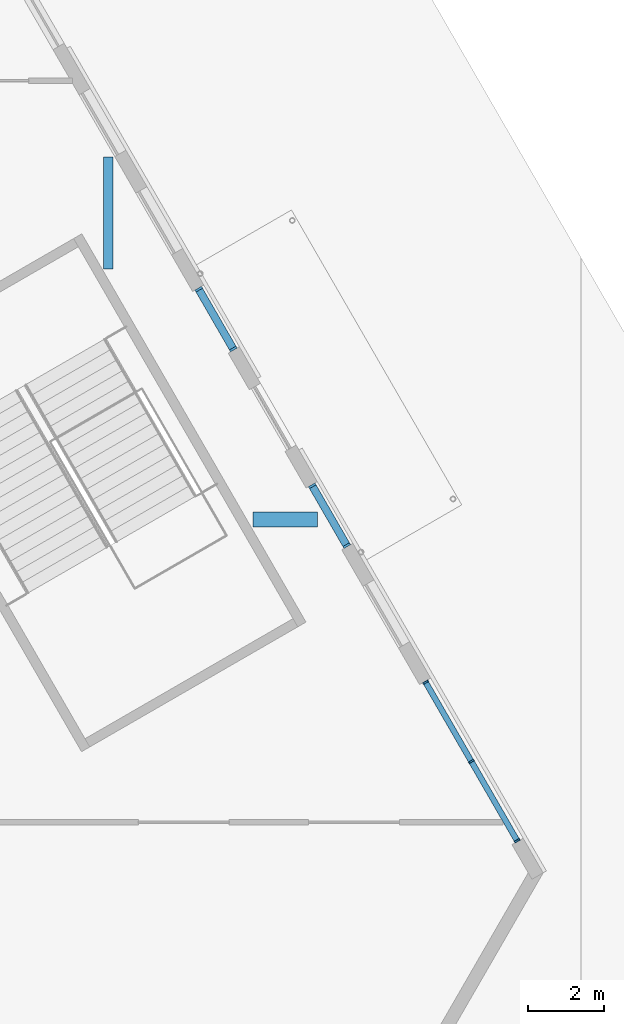
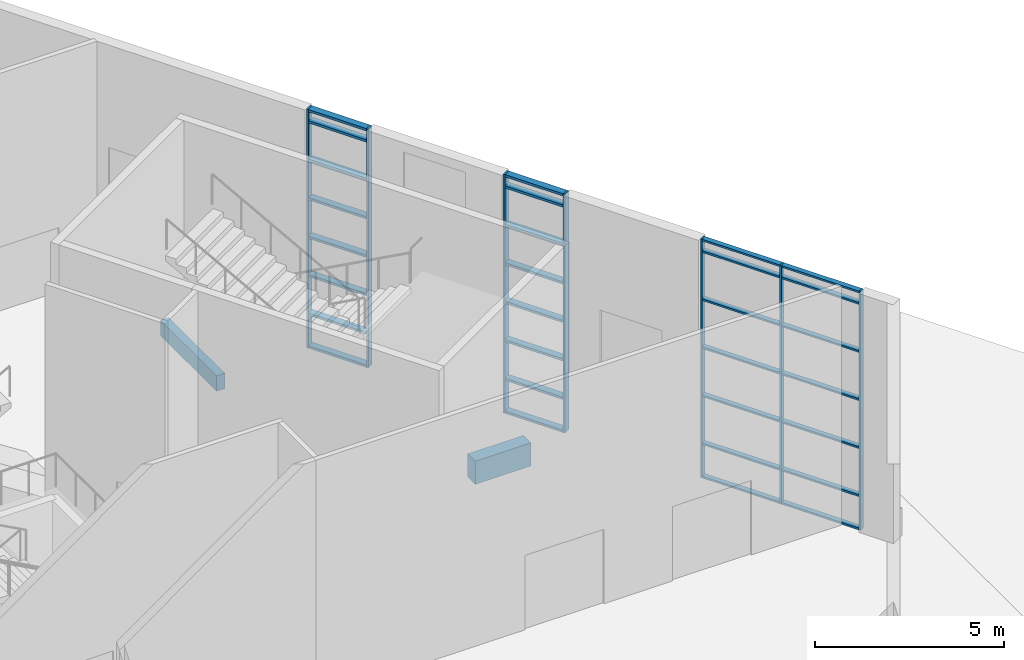
# One storey, part 8 of 24: 37 members, 2 beams, 3 elements without a shape of their own.
"""IFC4 building model written with IfcOpenShell, lengths in metres."""

from ifc_helpers import new_model, si_unit, direction, frame, origin, origin_2d, place, context, subcontext, project, spatial, rectangle, extrude, material, material_profile, profile_set, type_object, element, aggregate, save


model = new_model("IFC4")

# Units and contexts
model_context = context("Model", 3, precision=1e-05, world=origin(), true_north=direction((0.0, 1.0)))
body_context = subcontext(model_context, "Body", "Model", "MODEL_VIEW")
ifc_project = project(units=[si_unit("LENGTHUNIT", "METRE"), si_unit("AREAUNIT", "SQUARE_METRE"), si_unit("VOLUMEUNIT", "CUBIC_METRE"), si_unit("PLANEANGLEUNIT", "RADIAN"), si_unit("MASSUNIT", "GRAM", prefix="KILO")], contexts=[model_context])

# Site, building, storey
site_placement = place(None, origin())
site = spatial("IfcSite", under=ifc_project, at=site_placement, CompositionType="ELEMENT")
building_placement = place(site_placement, origin())
building = spatial("IfcBuilding", under=site, at=building_placement, Name="Fogline Exchange Tower", CompositionType="ELEMENT")
storey_placement = place(building_placement, origin())
storey = spatial("IfcBuildingStorey", under=building, at=storey_placement, Name="L00", CompositionType="ELEMENT", Elevation=0.0)

# Beams
ifc_material_1 = material(Name="Concrete C40", Category="concrete")
ifc_material_profile_1 = material_profile(ifc_material_1, rectangle(XDim=0.39990234375, YDim=0.75, at=origin_2d()), Name="RC 400x750")
ifc_profile_set_1 = profile_set([ifc_material_profile_1], Name="Concrete C40")
beam_type_1 = type_object("IfcBeamType", Name="B05", PredefinedType="BEAM", material=ifc_profile_set_1)
beam_1_placement = place(storey_placement, frame((35.327392578125, 18.0, -0.77490234375), z_axis=(1.0, 0.0, 0.0), x_axis=(0.0, 1.0, 0.0)))
element("IfcBeam", 1, at=beam_1_placement, inside=storey, type_object=beam_type_1, Name="GB004", PredefinedType="BEAM", context=body_context, shape_type="SweptSolid", body=[
    extrude(rectangle(XDim=0.39990234375, YDim=0.75, at=origin_2d()), origin(), (0.0, 0.0, 1.0), 1.702880859375),
])
ifc_material_profile_2 = material_profile(ifc_material_1, rectangle(XDim=0.25, YDim=0.5, at=origin_2d()), Name="RC 250x500")
ifc_profile_set_2 = profile_set([ifc_material_profile_2], Name="Concrete C40")
beam_type_2 = type_object("IfcBeamType", Name="B08", PredefinedType="BEAM", material=ifc_profile_set_2)
beam_2_placement = place(storey_placement, frame((31.5, 24.619384765625, -0.64990234375), z_axis=(0.0, 1.0, 0.0), x_axis=(-1.0, 0.0, 0.0)))
element("IfcBeam", 2, at=beam_2_placement, inside=storey, type_object=beam_type_2, Name="SB047", PredefinedType="BEAM", context=body_context, shape_type="SweptSolid", body=[
    extrude(rectangle(XDim=0.25, YDim=0.5, at=origin_2d()), origin(), (0.0, 0.0, 1.0), 2.95947265625),
])

# Curtain wall, members
ifc_material_2 = material(Name="Aluminium and glass", Category="aluminium")
curtain_wall_type_1 = type_object("IfcCurtainWallType", Name="CW1", PredefinedType="NOTDEFINED", material=ifc_material_2)
curtain_wall_1_placement = place(storey_placement, origin())
curtain_wall_1 = element("IfcCurtainWall", 3, at=curtain_wall_1_placement, inside=storey, type_object=curtain_wall_type_1, Name="CW1 L00 E run 2", PredefinedType="NOTDEFINED")
ifc_material_3 = material(Name="Aluminium", Category="aluminium")
ifc_material_profile_3 = material_profile(ifc_material_3, rectangle(XDim=0.199951171875, YDim=0.06005859375, at=origin_2d()), Name="Mullion 60x200")
ifc_profile_set_3 = profile_set([ifc_material_profile_3], Name="Aluminium")
member_type_1 = type_object("IfcMemberType", Name="CW1-M", PredefinedType="MULLION", material=ifc_profile_set_3)
member_1_placement = place(storey_placement, frame((37.80908203125, 17.311279296875, 0.0), z_axis=(0.0, 0.0, 1.0), x_axis=(-0.866025684137, -0.499999514416, 0.0)))
member_1 = element("IfcMember", 4, at=member_1_placement, type_object=member_type_1, Name="CW1-P00-01 mullion 1", PredefinedType="MULLION", context=body_context, shape_type="SweptSolid", body=[
    extrude(rectangle(XDim=0.199951171875, YDim=0.06005859375, at=origin_2d()), origin(), (0.0, 0.0, 1.0), 7.699951171875),
])
member_2_placement = place(storey_placement, frame((36.896484375, 18.891845703125, 0.0), z_axis=(0.0, 0.0, 1.0), x_axis=(-0.866025684137, -0.499999514416, 0.0)))
member_2 = element("IfcMember", 5, at=member_2_placement, type_object=member_type_1, Name="CW1-P00-01 mullion 2", PredefinedType="MULLION", context=body_context, shape_type="SweptSolid", body=[
    extrude(rectangle(XDim=0.199951171875, YDim=0.06005859375, at=origin_2d()), origin(), (0.0, 0.0, 1.0), 7.699951171875),
])

curtain_wall_2_placement = place(storey_placement, origin())
curtain_wall_2 = element("IfcCurtainWall", 6, at=curtain_wall_2_placement, inside=storey, type_object=curtain_wall_type_1, Name="CW1 L00 E run 3", PredefinedType="NOTDEFINED")
member_3_placement = place(storey_placement, frame((34.80908203125, 22.50732421875, 0.0), z_axis=(0.0, 0.0, 1.0), x_axis=(-0.866024357877, -0.500001811561, 0.0)))
member_3 = element("IfcMember", 7, at=member_3_placement, type_object=member_type_1, Name="CW1-P00-02 mullion 1", PredefinedType="MULLION", context=body_context, shape_type="SweptSolid", body=[
    extrude(rectangle(XDim=0.199951171875, YDim=0.06005859375, at=origin_2d()), origin(), (0.0, 0.0, 1.0), 7.699951171875),
])
member_4_placement = place(storey_placement, frame((33.896484375, 24.087890625, 0.0), z_axis=(0.0, 0.0, 1.0), x_axis=(-0.866024357877, -0.500001811561, 0.0)))
member_4 = element("IfcMember", 8, at=member_4_placement, type_object=member_type_1, Name="CW1-P00-02 mullion 2", PredefinedType="MULLION", context=body_context, shape_type="SweptSolid", body=[
    extrude(rectangle(XDim=0.199951171875, YDim=0.06005859375, at=origin_2d()), origin(), (0.0, 0.0, 1.0), 7.699951171875),
])

# Member
ifc_material_profile_4 = material_profile(ifc_material_3, rectangle(XDim=0.199951171875, YDim=0.080078125, at=origin_2d()), Name="Transom 80x200")
ifc_profile_set_4 = profile_set([ifc_material_profile_4], Name="Aluminium")
member_type_2 = type_object("IfcMemberType", Name="CW1-T", PredefinedType="USERDEFINED", material=ifc_profile_set_4)
member_5_placement = place(storey_placement, frame((37.7939453125, 17.337158203125, 0.0400390625), z_axis=(-0.499918034643, 0.866072721334, 0.0), x_axis=(-0.866072721334, -0.499918034643, 0.0)))
member_5 = element("IfcMember", 9, at=member_5_placement, type_object=member_type_2, Name="CW1-P00-01 transom 1.1", ObjectType="TRANSOM", PredefinedType="USERDEFINED", context=body_context, shape_type="SweptSolid", body=[
    extrude(rectangle(XDim=0.199951171875, YDim=0.080078125, at=origin_2d()), origin(), (0.0, 0.0, 1.0), 1.764892578125),
])

member_6_placement = place(storey_placement, frame((37.7939453125, 17.337158203125, 1.10009765625), z_axis=(-0.499918034643, 0.866072721334, 0.0), x_axis=(-0.866072721334, -0.499918034643, 0.0)))
member_6 = element("IfcMember", 10, at=member_6_placement, type_object=member_type_2, Name="CW1-P00-01 transom 1.2", ObjectType="TRANSOM", PredefinedType="USERDEFINED", context=body_context, shape_type="SweptSolid", body=[
    extrude(rectangle(XDim=0.199951171875, YDim=0.080078125, at=origin_2d()), origin(), (0.0, 0.0, 1.0), 1.764892578125),
])

member_7_placement = place(storey_placement, frame((37.7939453125, 17.337158203125, 2.340087890625), z_axis=(-0.499918034643, 0.866072721334, 0.0), x_axis=(-0.866072721334, -0.499918034643, 0.0)))
member_7 = element("IfcMember", 11, at=member_7_placement, type_object=member_type_2, Name="CW1-P00-01 transom 1.3", ObjectType="TRANSOM", PredefinedType="USERDEFINED", context=body_context, shape_type="SweptSolid", body=[
    extrude(rectangle(XDim=0.199951171875, YDim=0.080078125, at=origin_2d()), origin(), (0.0, 0.0, 1.0), 1.764892578125),
])

member_8_placement = place(storey_placement, frame((37.7939453125, 17.337158203125, 3.580078125), z_axis=(-0.499918034643, 0.866072721334, 0.0), x_axis=(-0.866072721334, -0.499918034643, 0.0)))
member_8 = element("IfcMember", 12, at=member_8_placement, type_object=member_type_2, Name="CW1-P00-01 transom 1.4", ObjectType="TRANSOM", PredefinedType="USERDEFINED", context=body_context, shape_type="SweptSolid", body=[
    extrude(rectangle(XDim=0.199951171875, YDim=0.080078125, at=origin_2d()), origin(), (0.0, 0.0, 1.0), 1.764892578125),
])

member_9_placement = place(storey_placement, frame((37.7939453125, 17.337158203125, 4.820068359375), z_axis=(-0.499918034643, 0.866072721334, 0.0), x_axis=(-0.866072721334, -0.499918034643, 0.0)))
member_9 = element("IfcMember", 13, at=member_9_placement, type_object=member_type_2, Name="CW1-P00-01 transom 1.5", ObjectType="TRANSOM", PredefinedType="USERDEFINED", context=body_context, shape_type="SweptSolid", body=[
    extrude(rectangle(XDim=0.199951171875, YDim=0.080078125, at=origin_2d()), origin(), (0.0, 0.0, 1.0), 1.764892578125),
])

member_10_placement = place(storey_placement, frame((37.7939453125, 17.337158203125, 6.06005859375), z_axis=(-0.499918034643, 0.866072721334, 0.0), x_axis=(-0.866072721334, -0.499918034643, 0.0)))
member_10 = element("IfcMember", 14, at=member_10_placement, type_object=member_type_2, Name="CW1-P00-01 transom 1.6", ObjectType="TRANSOM", PredefinedType="USERDEFINED", context=body_context, shape_type="SweptSolid", body=[
    extrude(rectangle(XDim=0.199951171875, YDim=0.080078125, at=origin_2d()), origin(), (0.0, 0.0, 1.0), 1.764892578125),
])

member_11_placement = place(storey_placement, frame((37.7939453125, 17.337158203125, 7.300048828125), z_axis=(-0.499918034643, 0.866072721334, 0.0), x_axis=(-0.866072721334, -0.499918034643, 0.0)))
member_11 = element("IfcMember", 15, at=member_11_placement, type_object=member_type_2, Name="CW1-P00-01 transom 1.7", ObjectType="TRANSOM", PredefinedType="USERDEFINED", context=body_context, shape_type="SweptSolid", body=[
    extrude(rectangle(XDim=0.199951171875, YDim=0.080078125, at=origin_2d()), origin(), (0.0, 0.0, 1.0), 1.764892578125),
])

member_12_placement = place(storey_placement, frame((37.7939453125, 17.337158203125, 7.659912109375), z_axis=(-0.499918034643, 0.866072721334, 0.0), x_axis=(-0.866072721334, -0.499918034643, 0.0)))
member_12 = element("IfcMember", 16, at=member_12_placement, type_object=member_type_2, Name="CW1-P00-01 transom 1.8", ObjectType="TRANSOM", PredefinedType="USERDEFINED", context=body_context, shape_type="SweptSolid", body=[
    extrude(rectangle(XDim=0.199951171875, YDim=0.080078125, at=origin_2d()), origin(), (0.0, 0.0, 1.0), 1.764892578125),
])

aggregate(curtain_wall_1, [member_1, member_2, member_5, member_6, member_7, member_8, member_9, member_10, member_11, member_12])

member_13_placement = place(storey_placement, frame((34.7939453125, 22.533447265625, 0.0400390625), z_axis=(-0.499918034643, 0.866072721334, 0.0), x_axis=(-0.866072721334, -0.499918034643, 0.0)))
member_13 = element("IfcMember", 17, at=member_13_placement, type_object=member_type_2, Name="CW1-P00-02 transom 1.1", ObjectType="TRANSOM", PredefinedType="USERDEFINED", context=body_context, shape_type="SweptSolid", body=[
    extrude(rectangle(XDim=0.199951171875, YDim=0.080078125, at=origin_2d()), origin(), (0.0, 0.0, 1.0), 1.764892578125),
])

member_14_placement = place(storey_placement, frame((34.7939453125, 22.533447265625, 1.10009765625), z_axis=(-0.499918034643, 0.866072721334, 0.0), x_axis=(-0.866072721334, -0.499918034643, 0.0)))
member_14 = element("IfcMember", 18, at=member_14_placement, type_object=member_type_2, Name="CW1-P00-02 transom 1.2", ObjectType="TRANSOM", PredefinedType="USERDEFINED", context=body_context, shape_type="SweptSolid", body=[
    extrude(rectangle(XDim=0.199951171875, YDim=0.080078125, at=origin_2d()), origin(), (0.0, 0.0, 1.0), 1.764892578125),
])

member_15_placement = place(storey_placement, frame((34.7939453125, 22.533447265625, 2.340087890625), z_axis=(-0.499918034643, 0.866072721334, 0.0), x_axis=(-0.866072721334, -0.499918034643, 0.0)))
member_15 = element("IfcMember", 19, at=member_15_placement, type_object=member_type_2, Name="CW1-P00-02 transom 1.3", ObjectType="TRANSOM", PredefinedType="USERDEFINED", context=body_context, shape_type="SweptSolid", body=[
    extrude(rectangle(XDim=0.199951171875, YDim=0.080078125, at=origin_2d()), origin(), (0.0, 0.0, 1.0), 1.764892578125),
])

member_16_placement = place(storey_placement, frame((34.7939453125, 22.533447265625, 3.580078125), z_axis=(-0.499918034643, 0.866072721334, 0.0), x_axis=(-0.866072721334, -0.499918034643, 0.0)))
member_16 = element("IfcMember", 20, at=member_16_placement, type_object=member_type_2, Name="CW1-P00-02 transom 1.4", ObjectType="TRANSOM", PredefinedType="USERDEFINED", context=body_context, shape_type="SweptSolid", body=[
    extrude(rectangle(XDim=0.199951171875, YDim=0.080078125, at=origin_2d()), origin(), (0.0, 0.0, 1.0), 1.764892578125),
])

member_17_placement = place(storey_placement, frame((34.7939453125, 22.533447265625, 4.820068359375), z_axis=(-0.499918034643, 0.866072721334, 0.0), x_axis=(-0.866072721334, -0.499918034643, 0.0)))
member_17 = element("IfcMember", 21, at=member_17_placement, type_object=member_type_2, Name="CW1-P00-02 transom 1.5", ObjectType="TRANSOM", PredefinedType="USERDEFINED", context=body_context, shape_type="SweptSolid", body=[
    extrude(rectangle(XDim=0.199951171875, YDim=0.080078125, at=origin_2d()), origin(), (0.0, 0.0, 1.0), 1.764892578125),
])

member_18_placement = place(storey_placement, frame((34.7939453125, 22.533447265625, 6.06005859375), z_axis=(-0.499918034643, 0.866072721334, 0.0), x_axis=(-0.866072721334, -0.499918034643, 0.0)))
member_18 = element("IfcMember", 22, at=member_18_placement, type_object=member_type_2, Name="CW1-P00-02 transom 1.6", ObjectType="TRANSOM", PredefinedType="USERDEFINED", context=body_context, shape_type="SweptSolid", body=[
    extrude(rectangle(XDim=0.199951171875, YDim=0.080078125, at=origin_2d()), origin(), (0.0, 0.0, 1.0), 1.764892578125),
])

member_19_placement = place(storey_placement, frame((34.7939453125, 22.533447265625, 7.300048828125), z_axis=(-0.499918034643, 0.866072721334, 0.0), x_axis=(-0.866072721334, -0.499918034643, 0.0)))
member_19 = element("IfcMember", 23, at=member_19_placement, type_object=member_type_2, Name="CW1-P00-02 transom 1.7", ObjectType="TRANSOM", PredefinedType="USERDEFINED", context=body_context, shape_type="SweptSolid", body=[
    extrude(rectangle(XDim=0.199951171875, YDim=0.080078125, at=origin_2d()), origin(), (0.0, 0.0, 1.0), 1.764892578125),
])

member_20_placement = place(storey_placement, frame((34.7939453125, 22.533447265625, 7.659912109375), z_axis=(-0.499918034643, 0.866072721334, 0.0), x_axis=(-0.866072721334, -0.499918034643, 0.0)))
member_20 = element("IfcMember", 24, at=member_20_placement, type_object=member_type_2, Name="CW1-P00-02 transom 1.8", ObjectType="TRANSOM", PredefinedType="USERDEFINED", context=body_context, shape_type="SweptSolid", body=[
    extrude(rectangle(XDim=0.199951171875, YDim=0.080078125, at=origin_2d()), origin(), (0.0, 0.0, 1.0), 1.764892578125),
])

aggregate(curtain_wall_2, [member_3, member_4, member_13, member_14, member_15, member_16, member_17, member_18, member_19, member_20])

# Curtain wall, members
curtain_wall_type_2 = type_object("IfcCurtainWallType", Name="CW3", PredefinedType="NOTDEFINED", material=ifc_material_2)
curtain_wall_3_placement = place(storey_placement, origin())
curtain_wall_3 = element("IfcCurtainWall", 25, at=curtain_wall_3_placement, inside=storey, type_object=curtain_wall_type_2, Name="CW3 L00 E run 1", PredefinedType="NOTDEFINED")
ifc_material_profile_5 = material_profile(ifc_material_3, rectangle(XDim=0.14990234375, YDim=0.050048828125, at=origin_2d()), Name="Mullion 50x150")
ifc_profile_set_5 = profile_set([ifc_material_profile_5], Name="Aluminium")
member_type_3 = type_object("IfcMemberType", Name="CW3-M", PredefinedType="MULLION", material=ifc_profile_set_5)
member_21_placement = place(storey_placement, frame((42.3115234375, 9.5126953125, 0.0), z_axis=(0.0, 0.0, 1.0), x_axis=(-0.866025194083, -0.500000363213, 0.0)))
member_21 = element("IfcMember", 26, at=member_21_placement, type_object=member_type_3, Name="CW3-P00-01 mullion 1", PredefinedType="MULLION", context=body_context, shape_type="SweptSolid", body=[
    extrude(rectangle(XDim=0.14990234375, YDim=0.050048828125, at=origin_2d()), origin(), (0.0, 0.0, 1.0), 7.699951171875),
])
member_22_placement = place(storey_placement, frame((41.102783203125, 11.6064453125, 0.0), z_axis=(0.0, 0.0, 1.0), x_axis=(-0.866025194083, -0.500000363213, 0.0)))
member_22 = element("IfcMember", 27, at=member_22_placement, type_object=member_type_3, Name="CW3-P00-01 mullion 2", PredefinedType="MULLION", context=body_context, shape_type="SweptSolid", body=[
    extrude(rectangle(XDim=0.14990234375, YDim=0.050048828125, at=origin_2d()), origin(), (0.0, 0.0, 1.0), 7.699951171875),
])
member_23_placement = place(storey_placement, frame((39.89404296875, 13.699951171875, 0.0), z_axis=(0.0, 0.0, 1.0), x_axis=(-0.866025194083, -0.500000363213, 0.0)))
member_23 = element("IfcMember", 28, at=member_23_placement, type_object=member_type_3, Name="CW3-P00-01 mullion 3", PredefinedType="MULLION", context=body_context, shape_type="SweptSolid", body=[
    extrude(rectangle(XDim=0.14990234375, YDim=0.050048828125, at=origin_2d()), origin(), (0.0, 0.0, 1.0), 7.699951171875),
])
ifc_material_profile_6 = material_profile(ifc_material_3, rectangle(XDim=0.14990234375, YDim=0.06005859375, at=origin_2d()), Name="Transom 60x150")
ifc_profile_set_6 = profile_set([ifc_material_profile_6], Name="Aluminium")
member_type_4 = type_object("IfcMemberType", Name="CW3-T", PredefinedType="USERDEFINED", material=ifc_profile_set_6)
member_24_placement = place(storey_placement, frame((42.299072265625, 9.534423828125, 0.030029296875), z_axis=(-0.500031897912, 0.866006986733, 0.0), x_axis=(-0.866006986733, -0.500031897912, 0.0)))
member_24 = element("IfcMember", 29, at=member_24_placement, type_object=member_type_4, Name="CW3-P00-01 transom 1.1", ObjectType="TRANSOM", PredefinedType="USERDEFINED", context=body_context, shape_type="SweptSolid", body=[
    extrude(rectangle(XDim=0.14990234375, YDim=0.06005859375, at=origin_2d()), origin(), (0.0, 0.0, 1.0), 2.367431640625),
])
member_25_placement = place(storey_placement, frame((42.299072265625, 9.534423828125, 1.10009765625), z_axis=(-0.500031897912, 0.866006986733, 0.0), x_axis=(-0.866006986733, -0.500031897912, 0.0)))
member_25 = element("IfcMember", 30, at=member_25_placement, type_object=member_type_4, Name="CW3-P00-01 transom 1.2", ObjectType="TRANSOM", PredefinedType="USERDEFINED", context=body_context, shape_type="SweptSolid", body=[
    extrude(rectangle(XDim=0.14990234375, YDim=0.06005859375, at=origin_2d()), origin(), (0.0, 0.0, 1.0), 2.367431640625),
])
member_26_placement = place(storey_placement, frame((42.299072265625, 9.534423828125, 2.64990234375), z_axis=(-0.500031897912, 0.866006986733, 0.0), x_axis=(-0.866006986733, -0.500031897912, 0.0)))
member_26 = element("IfcMember", 31, at=member_26_placement, type_object=member_type_4, Name="CW3-P00-01 transom 1.3", ObjectType="TRANSOM", PredefinedType="USERDEFINED", context=body_context, shape_type="SweptSolid", body=[
    extrude(rectangle(XDim=0.14990234375, YDim=0.06005859375, at=origin_2d()), origin(), (0.0, 0.0, 1.0), 2.367431640625),
])
member_27_placement = place(storey_placement, frame((42.299072265625, 9.534423828125, 4.199951171875), z_axis=(-0.500031897912, 0.866006986733, 0.0), x_axis=(-0.866006986733, -0.500031897912, 0.0)))
member_27 = element("IfcMember", 32, at=member_27_placement, type_object=member_type_4, Name="CW3-P00-01 transom 1.4", ObjectType="TRANSOM", PredefinedType="USERDEFINED", context=body_context, shape_type="SweptSolid", body=[
    extrude(rectangle(XDim=0.14990234375, YDim=0.06005859375, at=origin_2d()), origin(), (0.0, 0.0, 1.0), 2.367431640625),
])
member_28_placement = place(storey_placement, frame((42.299072265625, 9.534423828125, 5.75), z_axis=(-0.500031897912, 0.866006986733, 0.0), x_axis=(-0.866006986733, -0.500031897912, 0.0)))
member_28 = element("IfcMember", 33, at=member_28_placement, type_object=member_type_4, Name="CW3-P00-01 transom 1.5", ObjectType="TRANSOM", PredefinedType="USERDEFINED", context=body_context, shape_type="SweptSolid", body=[
    extrude(rectangle(XDim=0.14990234375, YDim=0.06005859375, at=origin_2d()), origin(), (0.0, 0.0, 1.0), 2.367431640625),
])
member_29_placement = place(storey_placement, frame((42.299072265625, 9.534423828125, 7.300048828125), z_axis=(-0.500031897912, 0.866006986733, 0.0), x_axis=(-0.866006986733, -0.500031897912, 0.0)))
member_29 = element("IfcMember", 34, at=member_29_placement, type_object=member_type_4, Name="CW3-P00-01 transom 1.6", ObjectType="TRANSOM", PredefinedType="USERDEFINED", context=body_context, shape_type="SweptSolid", body=[
    extrude(rectangle(XDim=0.14990234375, YDim=0.06005859375, at=origin_2d()), origin(), (0.0, 0.0, 1.0), 2.367431640625),
])
member_30_placement = place(storey_placement, frame((42.299072265625, 9.534423828125, 7.669921875), z_axis=(-0.500031897912, 0.866006986733, 0.0), x_axis=(-0.866006986733, -0.500031897912, 0.0)))
member_30 = element("IfcMember", 35, at=member_30_placement, type_object=member_type_4, Name="CW3-P00-01 transom 1.7", ObjectType="TRANSOM", PredefinedType="USERDEFINED", context=body_context, shape_type="SweptSolid", body=[
    extrude(rectangle(XDim=0.14990234375, YDim=0.06005859375, at=origin_2d()), origin(), (0.0, 0.0, 1.0), 2.367431640625),
])
member_31_placement = place(storey_placement, frame((41.09033203125, 11.6279296875, 0.030029296875), z_axis=(-0.500031897912, 0.866006986733, 0.0), x_axis=(-0.866006986733, -0.500031897912, 0.0)))
member_31 = element("IfcMember", 36, at=member_31_placement, type_object=member_type_4, Name="CW3-P00-01 transom 2.1", ObjectType="TRANSOM", PredefinedType="USERDEFINED", context=body_context, shape_type="SweptSolid", body=[
    extrude(rectangle(XDim=0.14990234375, YDim=0.06005859375, at=origin_2d()), origin(), (0.0, 0.0, 1.0), 2.367431640625),
])
member_32_placement = place(storey_placement, frame((41.09033203125, 11.6279296875, 1.10009765625), z_axis=(-0.500031897912, 0.866006986733, 0.0), x_axis=(-0.866006986733, -0.500031897912, 0.0)))
member_32 = element("IfcMember", 37, at=member_32_placement, type_object=member_type_4, Name="CW3-P00-01 transom 2.2", ObjectType="TRANSOM", PredefinedType="USERDEFINED", context=body_context, shape_type="SweptSolid", body=[
    extrude(rectangle(XDim=0.14990234375, YDim=0.06005859375, at=origin_2d()), origin(), (0.0, 0.0, 1.0), 2.367431640625),
])
member_33_placement = place(storey_placement, frame((41.09033203125, 11.6279296875, 2.64990234375), z_axis=(-0.500031897912, 0.866006986733, 0.0), x_axis=(-0.866006986733, -0.500031897912, 0.0)))
member_33 = element("IfcMember", 38, at=member_33_placement, type_object=member_type_4, Name="CW3-P00-01 transom 2.3", ObjectType="TRANSOM", PredefinedType="USERDEFINED", context=body_context, shape_type="SweptSolid", body=[
    extrude(rectangle(XDim=0.14990234375, YDim=0.06005859375, at=origin_2d()), origin(), (0.0, 0.0, 1.0), 2.367431640625),
])
member_34_placement = place(storey_placement, frame((41.09033203125, 11.6279296875, 4.199951171875), z_axis=(-0.500031897912, 0.866006986733, 0.0), x_axis=(-0.866006986733, -0.500031897912, 0.0)))
member_34 = element("IfcMember", 39, at=member_34_placement, type_object=member_type_4, Name="CW3-P00-01 transom 2.4", ObjectType="TRANSOM", PredefinedType="USERDEFINED", context=body_context, shape_type="SweptSolid", body=[
    extrude(rectangle(XDim=0.14990234375, YDim=0.06005859375, at=origin_2d()), origin(), (0.0, 0.0, 1.0), 2.367431640625),
])
member_35_placement = place(storey_placement, frame((41.09033203125, 11.6279296875, 5.75), z_axis=(-0.500031897912, 0.866006986733, 0.0), x_axis=(-0.866006986733, -0.500031897912, 0.0)))
member_35 = element("IfcMember", 40, at=member_35_placement, type_object=member_type_4, Name="CW3-P00-01 transom 2.5", ObjectType="TRANSOM", PredefinedType="USERDEFINED", context=body_context, shape_type="SweptSolid", body=[
    extrude(rectangle(XDim=0.14990234375, YDim=0.06005859375, at=origin_2d()), origin(), (0.0, 0.0, 1.0), 2.367431640625),
])
member_36_placement = place(storey_placement, frame((41.09033203125, 11.6279296875, 7.300048828125), z_axis=(-0.500031897912, 0.866006986733, 0.0), x_axis=(-0.866006986733, -0.500031897912, 0.0)))
member_36 = element("IfcMember", 41, at=member_36_placement, type_object=member_type_4, Name="CW3-P00-01 transom 2.6", ObjectType="TRANSOM", PredefinedType="USERDEFINED", context=body_context, shape_type="SweptSolid", body=[
    extrude(rectangle(XDim=0.14990234375, YDim=0.06005859375, at=origin_2d()), origin(), (0.0, 0.0, 1.0), 2.367431640625),
])
member_37_placement = place(storey_placement, frame((41.09033203125, 11.6279296875, 7.669921875), z_axis=(-0.500031897912, 0.866006986733, 0.0), x_axis=(-0.866006986733, -0.500031897912, 0.0)))
member_37 = element("IfcMember", 42, at=member_37_placement, type_object=member_type_4, Name="CW3-P00-01 transom 2.7", ObjectType="TRANSOM", PredefinedType="USERDEFINED", context=body_context, shape_type="SweptSolid", body=[
    extrude(rectangle(XDim=0.14990234375, YDim=0.06005859375, at=origin_2d()), origin(), (0.0, 0.0, 1.0), 2.367431640625),
])
aggregate(curtain_wall_3, [member_21, member_22, member_23, member_24, member_25, member_26, member_27, member_28, member_29, member_30, member_31, member_32, member_33, member_34, member_35, member_36, member_37])

save(model, "model.ifc")
